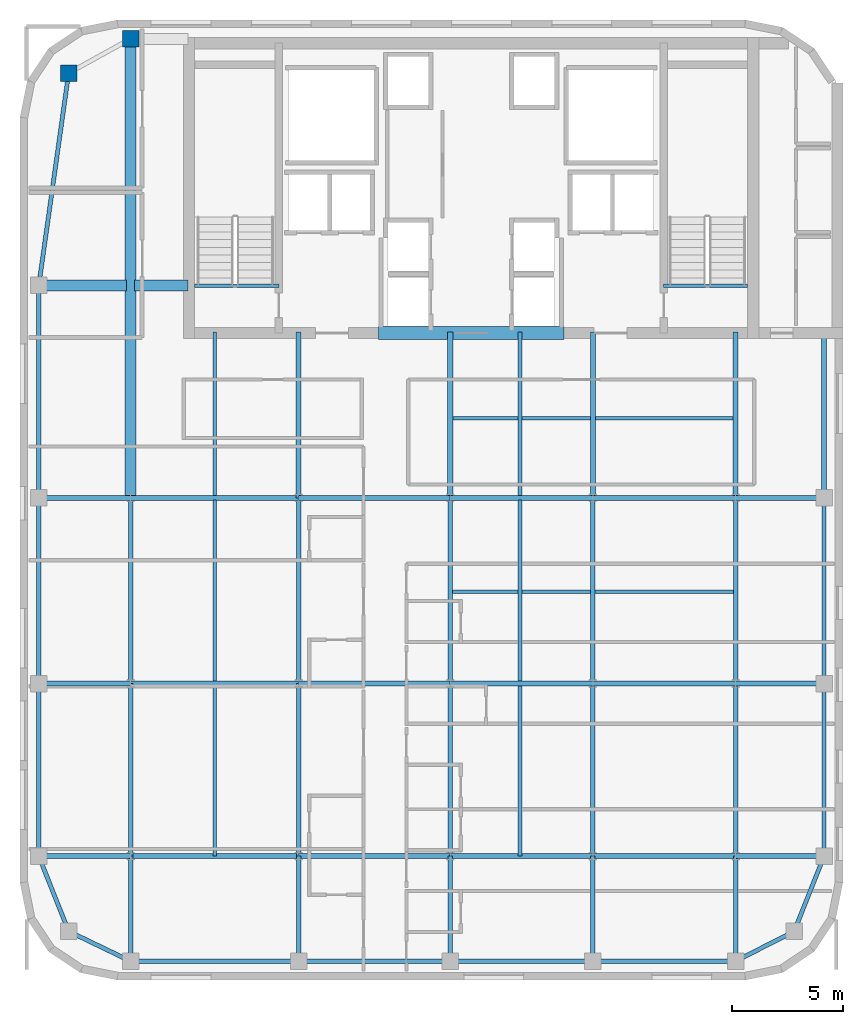
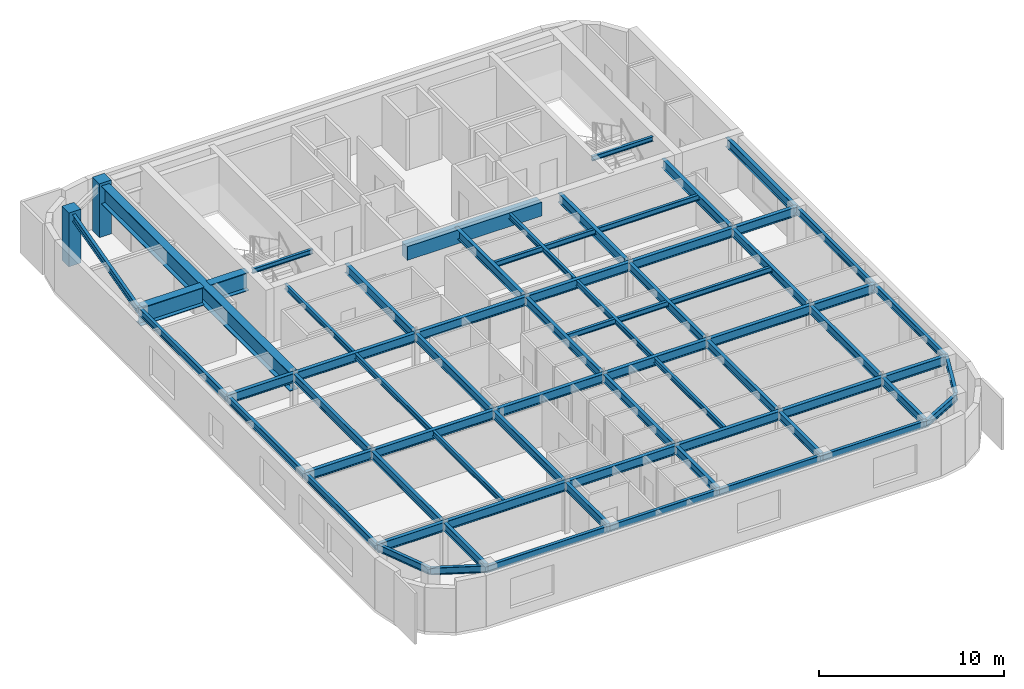
# One storey, part 2 of 9: 66 beams, 2 columns.
"""IFC4 building model written with IfcOpenShell, lengths in metres."""

from ifc_helpers import new_model, si_unit, direction, frame, origin, origin_2d, place, context, subcontext, project, spatial, rectangle, i_section, extrude, source, transform, mapped, material, material_profile, profile_set, type_object, type_shapes, element, save


model = new_model("IFC4")

# Units and contexts
model_context = context("Model", 3, precision=1e-05, world=origin(), true_north=direction((0.0, 1.0)))
body_context = subcontext(model_context, "Body", "Model", "MODEL_VIEW")
ifc_project = project(units=[si_unit("LENGTHUNIT", "METRE"), si_unit("AREAUNIT", "SQUARE_METRE"), si_unit("VOLUMEUNIT", "CUBIC_METRE"), si_unit("PLANEANGLEUNIT", "RADIAN"), si_unit("MASSUNIT", "GRAM", prefix="KILO")], contexts=[model_context])

# Site, building, storey
site_placement = place(None, origin())
site = spatial("IfcSite", under=ifc_project, at=site_placement, CompositionType="ELEMENT")
building_placement = place(site_placement, origin())
building = spatial("IfcBuilding", under=site, at=building_placement, Name="Tolvann Quenvar Hotel", CompositionType="ELEMENT")
storey_placement = place(building_placement, frame((0.0, 0.0, 209.699951171875)))
storey = spatial("IfcBuildingStorey", under=building, at=storey_placement, Name="L55", CompositionType="ELEMENT", Elevation=209.699951171875)

# Columns
ifc_material_1 = material(Name="Concrete N50 (50 MPa)", Category="concrete")
ifc_material_profile_1 = material_profile(ifc_material_1, rectangle(XDim=0.75, YDim=0.75, at=origin_2d()), Name="RC750x750")
ifc_profile_set_1 = profile_set([ifc_material_profile_1], Name="Concrete N50 (50 MPa)")
column_type = type_object("IfcColumnType", Name="COL_RC750", PredefinedType="COLUMN", material=ifc_profile_set_1)
shared_shape_1 = source(origin(), body_context, "Body", "SweptSolid", [
    extrude(rectangle(XDim=0.75, YDim=0.75, at=origin_2d()), origin(), (0.0, 0.0, 1.0), 3.550048828125),
])
type_shapes(column_type, [shared_shape_1])
for number, where, z_axis, x_axis, name in (
    (1, (4.800048828125, 43.60009765625, 0.0), (0.0, 0.0, 1.0), (1.0, 0.0, 0.0), "Column BN (L55)"),
    (2, (7.60009765625, 45.14990234375, 0.0), (0.0, 0.0, 1.0), (1.0, 0.0, 0.0), "Column CN (L55)"),
):
    element("IfcColumn", number, at=place(storey_placement, frame(where, z_axis=z_axis, x_axis=x_axis)), inside=storey, type_object=column_type, Name=name, PredefinedType="COLUMN", context=body_context, shape_type="MappedRepresentation", body=[
        mapped(shared_shape_1, transform((0.0, 0.0, 0.0), x_axis=(1.0, 0.0, 0.0), y_axis=(0.0, 1.0, 0.0), z_axis=(0.0, 0.0, 1.0), scale=1.0)),
    ])

# Beams
ifc_material_profile_2 = material_profile(ifc_material_1, rectangle(XDim=0.60009765625, YDim=0.89990234375, at=origin_2d()), Name="RC600x900")
ifc_profile_set_2 = profile_set([ifc_material_profile_2], Name="Concrete N50 (50 MPa)")
beam_type_1 = type_object("IfcBeamType", Name="BM_LINT_RC600x900", PredefinedType="LINTEL", material=ifc_profile_set_2)
shared_shape_2 = source(origin(), body_context, "Body", "SweptSolid", [
    extrude(rectangle(XDim=0.60009765625, YDim=0.89990234375, at=origin_2d()), origin(), (0.0, 0.0, 1.0), 8.39990234375),
])
type_shapes(beam_type_1, [shared_shape_2])
beam_1_placement = place(storey_placement, frame((18.800048828125, 31.85009765625, 2.920166015625), z_axis=(1.0, 0.0, 0.0), x_axis=(0.0, 1.0, 0.0)))
element("IfcBeam", 3, at=beam_1_placement, inside=storey, type_object=beam_type_1, Name="Core Coupling Lintel Beam (L55)", PredefinedType="LINTEL", context=body_context, shape_type="MappedRepresentation", body=[
    mapped(shared_shape_2, transform((0.0, 0.0, 0.0), x_axis=(1.0, 0.0, 0.0), y_axis=(0.0, 1.0, 0.0), z_axis=(0.0, 0.0, 1.0), scale=1.0)),
])
ifc_material_2 = material(Name="Steel Grade 350", Category="steel")
ifc_material_profile_3 = material_profile(ifc_material_2, i_section(OverallWidth=0.208984375, OverallDepth=0.532958984375, WebThickness=0.01025390625, FlangeThickness=0.015625, FilletRadius=0.013916015625, at=origin_2d()), Name="530UB92")
ifc_profile_set_3 = profile_set([ifc_material_profile_3], Name="Steel Grade 350")
beam_type_2 = type_object("IfcBeamType", Name="BM_GIRD_530UB92", PredefinedType="BEAM", material=ifc_profile_set_3)
shared_shape_3 = source(origin(), body_context, "Body", "SweptSolid", [
    extrude(i_section(OverallWidth=0.208984375, OverallDepth=0.532958984375, WebThickness=0.01025390625, FlangeThickness=0.015625, FilletRadius=0.013916015625, at=origin_2d()), origin(), (0.0, 0.0, 1.0), 7.800048828125),
])
for number, where, z_axis, x_axis, name in (
    (4, (7.60009765625, 8.199951171875, 3.103515625), (0.0, 1.0, 0.0), (-1.0, 0.0, 0.0), "BM-L55-NS-C3-C4"),
    (5, (15.199951171875, 8.199951171875, 3.103515625), (0.0, 1.0, 0.0), (-1.0, 0.0, 0.0), "BM-L55-NS-D3-D4"),
    (6, (22.050048828125, 8.199951171875, 3.103515625), (0.0, 1.0, 0.0), (-1.0, 0.0, 0.0), "BM-L55-NS-E3-E4"),
    (7, (34.949951171875, 8.199951171875, 3.103515625), (0.0, 1.0, 0.0), (-1.0, 0.0, 0.0), "BM-L55-NS-F3-F4"),
    (8, (28.5, 8.199951171875, 3.103515625), (0.0, 1.0, 0.0), (-1.0, 0.0, 0.0), "BM-L55-NS-M3-M4"),
):
    element("IfcBeam", number, at=place(storey_placement, frame(where, z_axis=z_axis, x_axis=x_axis)), inside=storey, type_object=beam_type_2, Name=name, PredefinedType="BEAM", context=body_context, shape_type="MappedRepresentation", body=[
        mapped(shared_shape_3, transform((0.0, 0.0, 0.0), x_axis=(1.0, 0.0, 0.0), y_axis=(0.0, 1.0, 0.0), z_axis=(0.0, 0.0, 1.0), scale=1.0)),
    ])
shared_shape_4 = source(origin(), body_context, "Body", "SweptSolid", [
    extrude(i_section(OverallWidth=0.208984375, OverallDepth=0.532958984375, WebThickness=0.01025390625, FlangeThickness=0.015625, FilletRadius=0.013916015625, at=origin_2d()), origin(), (0.0, 0.0, 1.0), 8.39990234375),
])
for number, where, z_axis, x_axis, name in (
    (9, (7.60009765625, 16.0, 3.103515625), (0.0, 1.0, 0.0), (-1.0, 0.0, 0.0), "BM-L55-NS-C4-C5"),
    (10, (15.199951171875, 16.0, 3.103515625), (0.0, 1.0, 0.0), (-1.0, 0.0, 0.0), "BM-L55-NS-D4-D5"),
    (11, (22.050048828125, 16.0, 3.103515625), (0.0, 1.0, 0.0), (-1.0, 0.0, 0.0), "BM-L55-NS-E4-E5"),
    (12, (34.949951171875, 16.0, 3.103515625), (0.0, 1.0, 0.0), (-1.0, 0.0, 0.0), "BM-L55-NS-F4-F5"),
    (13, (28.5, 16.0, 3.103515625), (0.0, 1.0, 0.0), (-1.0, 0.0, 0.0), "BM-L55-NS-M4-M5"),
):
    element("IfcBeam", number, at=place(storey_placement, frame(where, z_axis=z_axis, x_axis=x_axis)), inside=storey, type_object=beam_type_2, Name=name, PredefinedType="BEAM", context=body_context, shape_type="MappedRepresentation", body=[
        mapped(shared_shape_4, transform((0.0, 0.0, 0.0), x_axis=(1.0, 0.0, 0.0), y_axis=(0.0, 1.0, 0.0), z_axis=(0.0, 0.0, 1.0), scale=1.0)),
    ])
ifc_material_profile_4 = material_profile(ifc_material_2, i_section(OverallWidth=0.5, OverallDepth=1.199951171875, WebThickness=0.01611328125, FlangeThickness=0.0400390625, at=origin_2d()), Name="1200WB455")
ifc_profile_set_4 = profile_set([ifc_material_profile_4], Name="Steel Grade 350")
beam_type_3 = type_object("IfcBeamType", Name="BM_TG_1200WB455", PredefinedType="USERDEFINED", material=ifc_profile_set_4)
shared_shape_5 = source(origin(), body_context, "Body", "SweptSolid", [
    extrude(i_section(OverallWidth=0.5, OverallDepth=1.199951171875, WebThickness=0.01611328125, FlangeThickness=0.0400390625, at=origin_2d()), origin(), (0.0, 0.0, 1.0), 20.75),
])
beam_2_placement = place(storey_placement, frame((7.60009765625, 24.39990234375, 2.77001953125), z_axis=(0.0, 1.0, 0.0), x_axis=(-1.0, 0.0, 0.0)))
element("IfcBeam", 14, at=beam_2_placement, inside=storey, type_object=beam_type_3, Name="BM-L55-FLK-WC", ObjectType="TRANSFER GIRDER", PredefinedType="USERDEFINED", context=body_context, shape_type="MappedRepresentation", body=[
    mapped(shared_shape_5, transform((0.0, 0.0, 0.0), x_axis=(1.0, 0.0, 0.0), y_axis=(0.0, 1.0, 0.0), z_axis=(0.0, 0.0, 1.0), scale=1.0)),
])
shared_shape_6 = source(origin(), body_context, "Body", "SweptSolid", [
    extrude(i_section(OverallWidth=0.5, OverallDepth=1.199951171875, WebThickness=0.01611328125, FlangeThickness=0.0400390625, at=origin_2d()), origin(), (0.0, 0.0, 1.0), 2.419921875),
])
beam_3_placement = place(storey_placement, frame((7.780029296875, 34.0, 2.77001953125), z_axis=(1.0, 0.0, 0.0), x_axis=(0.0, 1.0, 0.0)))
element("IfcBeam", 15, at=beam_3_placement, inside=storey, type_object=beam_type_3, Name="BM-L55-CTW-MID2", ObjectType="TRANSFER GIRDER", PredefinedType="USERDEFINED", context=body_context, shape_type="MappedRepresentation", body=[
    mapped(shared_shape_6, transform((0.0, 0.0, 0.0), x_axis=(1.0, 0.0, 0.0), y_axis=(0.0, 1.0, 0.0), z_axis=(0.0, 0.0, 1.0), scale=1.0)),
])
ifc_material_profile_5 = material_profile(ifc_material_2, i_section(OverallWidth=0.166015625, OverallDepth=0.306884765625, WebThickness=0.006591796875, FlangeThickness=0.01171875, FilletRadius=0.011474609375, at=origin_2d()), Name="310UB46")
ifc_profile_set_5 = profile_set([ifc_material_profile_5], Name="Steel Grade 350")
beam_type_4 = type_object("IfcBeamType", Name="BM_JOIST_310UB46", PredefinedType="JOIST", material=ifc_profile_set_5)
shared_shape_7 = source(origin(), body_context, "Body", "SweptSolid", [
    extrude(i_section(OverallWidth=0.166015625, OverallDepth=0.306884765625, WebThickness=0.006591796875, FlangeThickness=0.01171875, FilletRadius=0.011474609375, at=origin_2d()), origin(), (0.0, 0.0, 1.0), 3.800048828125),
])
type_shapes(beam_type_4, [shared_shape_7])
for number, where, z_axis, x_axis, name in (
    (16, (10.5, 33.97998046875, 3.216552734375), (1.0, 0.0, 0.0), (0.0, 1.0, 0.0), "BM-HDR-STC1-L56"),
    (17, (31.699951171875, 33.97998046875, 3.216552734375), (1.0, 0.0, 0.0), (0.0, 1.0, 0.0), "BM-HDR-STC2-L56"),
):
    element("IfcBeam", number, at=place(storey_placement, frame(where, z_axis=z_axis, x_axis=x_axis)), inside=storey, type_object=beam_type_4, Name=name, PredefinedType="JOIST", context=body_context, shape_type="MappedRepresentation", body=[
        mapped(shared_shape_7, transform((0.0, 0.0, 0.0), x_axis=(1.0, 0.0, 0.0), y_axis=(0.0, 1.0, 0.0), z_axis=(0.0, 0.0, 1.0), scale=1.0)),
    ])
shared_shape_8 = source(origin(), body_context, "Body", "SweptSolid", [
    extrude(i_section(OverallWidth=0.5, OverallDepth=1.199951171875, WebThickness=0.01611328125, FlangeThickness=0.0400390625, at=origin_2d()), origin(), (0.0, 0.0, 1.0), 3.969970703125),
])
type_shapes(beam_type_3, [shared_shape_5, shared_shape_6, shared_shape_8])
beam_4_placement = place(storey_placement, frame((3.449951171875, 34.0, 2.77001953125), z_axis=(1.0, 0.0, 0.0), x_axis=(0.0, 1.0, 0.0)))
element("IfcBeam", 18, at=beam_4_placement, inside=storey, type_object=beam_type_3, Name="BM-L55-CTW-MID1", ObjectType="TRANSFER GIRDER", PredefinedType="USERDEFINED", context=body_context, shape_type="MappedRepresentation", body=[
    mapped(shared_shape_8, transform((0.0, 0.0, 0.0), x_axis=(1.0, 0.0, 0.0), y_axis=(0.0, 1.0, 0.0), z_axis=(0.0, 0.0, 1.0), scale=1.0)),
])
ifc_material_profile_6 = material_profile(ifc_material_2, i_section(OverallWidth=0.172119140625, OverallDepth=0.35888671875, WebThickness=0.008056640625, FlangeThickness=0.012939453125, FilletRadius=0.011474609375, at=origin_2d()), Name="360UB57")
ifc_profile_set_6 = profile_set([ifc_material_profile_6], Name="Steel Grade 350")
beam_type_5 = type_object("IfcBeamType", Name="BM_JOIST_360UB57", PredefinedType="JOIST", material=ifc_profile_set_6)
shared_shape_9 = source(origin(), body_context, "Body", "SweptSolid", [
    extrude(i_section(OverallWidth=0.172119140625, OverallDepth=0.35888671875, WebThickness=0.008056640625, FlangeThickness=0.012939453125, FilletRadius=0.011474609375, at=origin_2d()), origin(), (0.0, 0.0, 1.0), 12.89990234375),
])
for number, where, z_axis, x_axis, name in (
    (19, (22.050048828125, 20.14990234375, 3.1904296875), (1.0, 0.0, 0.0), (0.0, 1.0, 0.0), "BM-L55-SPINE-20"),
    (20, (22.050048828125, 28.0, 3.1904296875), (1.0, 0.0, 0.0), (0.0, 1.0, 0.0), "BM-L55-SPINE-28"),
):
    element("IfcBeam", number, at=place(storey_placement, frame(where, z_axis=z_axis, x_axis=x_axis)), inside=storey, type_object=beam_type_5, Name=name, PredefinedType="JOIST", context=body_context, shape_type="MappedRepresentation", body=[
        mapped(shared_shape_9, transform((0.0, 0.0, 0.0), x_axis=(1.0, 0.0, 0.0), y_axis=(0.0, 1.0, 0.0), z_axis=(0.0, 0.0, 1.0), scale=1.0)),
    ])
ifc_material_profile_7 = material_profile(ifc_material_2, i_section(OverallWidth=0.22802734375, OverallDepth=0.60205078125, WebThickness=0.010498046875, FlangeThickness=0.014892578125, FilletRadius=0.013916015625, at=origin_2d()), Name="610UB101")
ifc_profile_set_7 = profile_set([ifc_material_profile_7], Name="Steel Grade 350")
beam_type_6 = type_object("IfcBeamType", Name="BM_GIRD_610UB101", PredefinedType="BEAM", material=ifc_profile_set_7)
shared_shape_10 = source(origin(), body_context, "Body", "SweptSolid", [
    extrude(i_section(OverallWidth=0.22802734375, OverallDepth=0.60205078125, WebThickness=0.010498046875, FlangeThickness=0.014892578125, FilletRadius=0.013916015625, at=origin_2d()), origin(), (0.0, 0.0, 1.0), 4.150146484375),
])
for number, where, z_axis, x_axis, name in (
    (21, (3.449951171875, 8.199951171875, 3.069091796875), (1.0, 0.0, 0.0), (0.0, 1.0, 0.0), "BM-L55-EW-3-B3-C3"),
    (22, (3.449951171875, 16.0, 3.069091796875), (1.0, 0.0, 0.0), (0.0, 1.0, 0.0), "BM-L55-EW-4-B4-C4"),
    (23, (3.449951171875, 24.39990234375, 3.069091796875), (1.0, 0.0, 0.0), (0.0, 1.0, 0.0), "BM-L55-EW-5-B5-C5"),
):
    element("IfcBeam", number, at=place(storey_placement, frame(where, z_axis=z_axis, x_axis=x_axis)), inside=storey, type_object=beam_type_6, Name=name, PredefinedType="BEAM", context=body_context, shape_type="MappedRepresentation", body=[
        mapped(shared_shape_10, transform((0.0, 0.0, 0.0), x_axis=(1.0, 0.0, 0.0), y_axis=(0.0, 1.0, 0.0), z_axis=(0.0, 0.0, 1.0), scale=1.0)),
    ])
shared_shape_11 = source(origin(), body_context, "Body", "SweptSolid", [
    extrude(i_section(OverallWidth=0.22802734375, OverallDepth=0.60205078125, WebThickness=0.010498046875, FlangeThickness=0.014892578125, FilletRadius=0.013916015625, at=origin_2d()), origin(), (0.0, 0.0, 1.0), 7.599853515625),
])
for number, where, z_axis, x_axis, name in (
    (24, (7.60009765625, 8.199951171875, 3.069091796875), (1.0, 0.0, 0.0), (0.0, 1.0, 0.0), "BM-L55-EW-3-C3-D3"),
    (25, (7.60009765625, 16.0, 3.069091796875), (1.0, 0.0, 0.0), (0.0, 1.0, 0.0), "BM-L55-EW-4-C4-D4"),
    (26, (7.60009765625, 24.39990234375, 3.069091796875), (1.0, 0.0, 0.0), (0.0, 1.0, 0.0), "BM-L55-EW-5-C5-D5"),
):
    element("IfcBeam", number, at=place(storey_placement, frame(where, z_axis=z_axis, x_axis=x_axis)), inside=storey, type_object=beam_type_6, Name=name, PredefinedType="BEAM", context=body_context, shape_type="MappedRepresentation", body=[
        mapped(shared_shape_11, transform((0.0, 0.0, 0.0), x_axis=(1.0, 0.0, 0.0), y_axis=(0.0, 1.0, 0.0), z_axis=(0.0, 0.0, 1.0), scale=1.0)),
    ])
shared_shape_12 = source(origin(), body_context, "Body", "SweptSolid", [
    extrude(i_section(OverallWidth=0.22802734375, OverallDepth=0.60205078125, WebThickness=0.010498046875, FlangeThickness=0.014892578125, FilletRadius=0.013916015625, at=origin_2d()), origin(), (0.0, 0.0, 1.0), 6.85009765625),
])
for number, where, z_axis, x_axis, name in (
    (27, (15.199951171875, 8.199951171875, 3.069091796875), (1.0, 0.0, 0.0), (0.0, 1.0, 0.0), "BM-L55-EW-3-D3-E3"),
    (28, (15.199951171875, 16.0, 3.069091796875), (1.0, 0.0, 0.0), (0.0, 1.0, 0.0), "BM-L55-EW-4-D4-E4"),
    (29, (15.199951171875, 24.39990234375, 3.069091796875), (1.0, 0.0, 0.0), (0.0, 1.0, 0.0), "BM-L55-EW-5-D5-E5"),
):
    element("IfcBeam", number, at=place(storey_placement, frame(where, z_axis=z_axis, x_axis=x_axis)), inside=storey, type_object=beam_type_6, Name=name, PredefinedType="BEAM", context=body_context, shape_type="MappedRepresentation", body=[
        mapped(shared_shape_12, transform((0.0, 0.0, 0.0), x_axis=(1.0, 0.0, 0.0), y_axis=(0.0, 1.0, 0.0), z_axis=(0.0, 0.0, 1.0), scale=1.0)),
    ])
shared_shape_13 = source(origin(), body_context, "Body", "SweptSolid", [
    extrude(i_section(OverallWidth=0.22802734375, OverallDepth=0.60205078125, WebThickness=0.010498046875, FlangeThickness=0.014892578125, FilletRadius=0.013916015625, at=origin_2d()), origin(), (0.0, 0.0, 1.0), 6.449951171875),
])
for number, where, z_axis, x_axis, name in (
    (30, (22.050048828125, 8.199951171875, 3.069091796875), (1.0, 0.0, 0.0), (0.0, 1.0, 0.0), "BM-L55-EW-3-E3-M3"),
    (31, (28.5, 8.199951171875, 3.069091796875), (1.0, 0.0, 0.0), (0.0, 1.0, 0.0), "BM-L55-EW-3-M3-F3"),
    (32, (22.050048828125, 16.0, 3.069091796875), (1.0, 0.0, 0.0), (0.0, 1.0, 0.0), "BM-L55-EW-4-E4-M4"),
    (33, (28.5, 16.0, 3.069091796875), (1.0, 0.0, 0.0), (0.0, 1.0, 0.0), "BM-L55-EW-4-M4-F4"),
    (34, (22.050048828125, 24.39990234375, 3.069091796875), (1.0, 0.0, 0.0), (0.0, 1.0, 0.0), "BM-L55-EW-5-E5-M5"),
    (35, (28.5, 24.39990234375, 3.069091796875), (1.0, 0.0, 0.0), (0.0, 1.0, 0.0), "BM-L55-EW-5-M5-F5"),
):
    element("IfcBeam", number, at=place(storey_placement, frame(where, z_axis=z_axis, x_axis=x_axis)), inside=storey, type_object=beam_type_6, Name=name, PredefinedType="BEAM", context=body_context, shape_type="MappedRepresentation", body=[
        mapped(shared_shape_13, transform((0.0, 0.0, 0.0), x_axis=(1.0, 0.0, 0.0), y_axis=(0.0, 1.0, 0.0), z_axis=(0.0, 0.0, 1.0), scale=1.0)),
    ])
shared_shape_14 = source(origin(), body_context, "Body", "SweptSolid", [
    extrude(i_section(OverallWidth=0.208984375, OverallDepth=0.532958984375, WebThickness=0.01025390625, FlangeThickness=0.015625, FilletRadius=0.013916015625, at=origin_2d()), origin(), (0.0, 0.0, 1.0), 4.75),
])
type_shapes(beam_type_2, [shared_shape_3, shared_shape_4, shared_shape_14])
for number, where, z_axis, x_axis, name in (
    (36, (7.60009765625, 3.449951171875, 3.103515625), (0.0, 1.0, 0.0), (-1.0, 0.0, 0.0), "BM-L55-NS-C2-C3"),
    (37, (15.199951171875, 3.449951171875, 3.103515625), (0.0, 1.0, 0.0), (-1.0, 0.0, 0.0), "BM-L55-NS-D2-D3"),
    (38, (22.050048828125, 3.449951171875, 3.103515625), (0.0, 1.0, 0.0), (-1.0, 0.0, 0.0), "BM-L55-NS-E2-E3"),
    (39, (34.949951171875, 3.449951171875, 3.103515625), (0.0, 1.0, 0.0), (-1.0, 0.0, 0.0), "BM-L55-NS-F2-F3"),
    (40, (28.5, 3.449951171875, 3.103515625), (0.0, 1.0, 0.0), (-1.0, 0.0, 0.0), "BM-L55-NS-M2-M3"),
):
    element("IfcBeam", number, at=place(storey_placement, frame(where, z_axis=z_axis, x_axis=x_axis)), inside=storey, type_object=beam_type_2, Name=name, PredefinedType="BEAM", context=body_context, shape_type="MappedRepresentation", body=[
        mapped(shared_shape_14, transform((0.0, 0.0, 0.0), x_axis=(1.0, 0.0, 0.0), y_axis=(0.0, 1.0, 0.0), z_axis=(0.0, 0.0, 1.0), scale=1.0)),
    ])
shared_shape_15 = source(origin(), body_context, "Body", "SweptSolid", [
    extrude(i_section(OverallWidth=0.22802734375, OverallDepth=0.60205078125, WebThickness=0.010498046875, FlangeThickness=0.014892578125, FilletRadius=0.013916015625, at=origin_2d()), origin(), (0.0, 0.0, 1.0), 7.5),
])
for number, where, z_axis, x_axis, name in (
    (41, (15.199951171875, 24.39990234375, 3.069091796875), (0.0, 1.0, 0.0), (-1.0, 0.0, 0.0), "BM-L55-CORE-D5"),
    (42, (22.050048828125, 24.39990234375, 3.069091796875), (0.0, 1.0, 0.0), (-1.0, 0.0, 0.0), "BM-L55-CORE-E5"),
    (43, (34.949951171875, 24.39990234375, 3.069091796875), (0.0, 1.0, 0.0), (-1.0, 0.0, 0.0), "BM-L55-CORE-F5"),
    (44, (38.949951171875, 24.39990234375, 3.069091796875), (0.0, 1.0, 0.0), (-1.0, 0.0, 0.0), "BM-L55-CORE-G5"),
    (45, (28.5, 24.39990234375, 3.069091796875), (0.0, 1.0, 0.0), (-1.0, 0.0, 0.0), "BM-L55-CORE-M5"),
):
    element("IfcBeam", number, at=place(storey_placement, frame(where, z_axis=z_axis, x_axis=x_axis)), inside=storey, type_object=beam_type_6, Name=name, PredefinedType="BEAM", context=body_context, shape_type="MappedRepresentation", body=[
        mapped(shared_shape_15, transform((0.0, 0.0, 0.0), x_axis=(1.0, 0.0, 0.0), y_axis=(0.0, 1.0, 0.0), z_axis=(0.0, 0.0, 1.0), scale=1.0)),
    ])
shared_shape_16 = source(origin(), body_context, "Body", "SweptSolid", [
    extrude(i_section(OverallWidth=0.172119140625, OverallDepth=0.35888671875, WebThickness=0.008056640625, FlangeThickness=0.012939453125, FilletRadius=0.011474609375, at=origin_2d()), origin(), (0.0, 0.0, 1.0), 7.692138671875),
])
for number, where, z_axis, x_axis, name in (
    (46, (11.39990234375, 8.199951171875, 3.1904296875), (0.0, 1.0, 0.0), (-1.0, 0.0, 0.0), "BJ-L55-114-82"),
    (47, (25.199951171875, 8.199951171875, 3.1904296875), (0.0, 1.0, 0.0), (-1.0, 0.0, 0.0), "BJ-L55-252-82"),
):
    element("IfcBeam", number, at=place(storey_placement, frame(where, z_axis=z_axis, x_axis=x_axis)), inside=storey, type_object=beam_type_5, Name=name, PredefinedType="JOIST", context=body_context, shape_type="MappedRepresentation", body=[
        mapped(shared_shape_16, transform((0.0, 0.0, 0.0), x_axis=(1.0, 0.0, 0.0), y_axis=(0.0, 1.0, 0.0), z_axis=(0.0, 0.0, 1.0), scale=1.0)),
    ])
shared_shape_17 = source(origin(), body_context, "Body", "SweptSolid", [
    extrude(i_section(OverallWidth=0.172119140625, OverallDepth=0.35888671875, WebThickness=0.008056640625, FlangeThickness=0.012939453125, FilletRadius=0.011474609375, at=origin_2d()), origin(), (0.0, 0.0, 1.0), 8.18408203125),
])
for number, where, z_axis, x_axis, name in (
    (48, (11.39990234375, 16.10791015625, 3.1904296875), (0.0, 1.0, 0.0), (-1.0, 0.0, 0.0), "BJ-L55-114-160"),
    (49, (25.199951171875, 16.10791015625, 3.1904296875), (0.0, 1.0, 0.0), (-1.0, 0.0, 0.0), "BJ-L55-252-160"),
):
    element("IfcBeam", number, at=place(storey_placement, frame(where, z_axis=z_axis, x_axis=x_axis)), inside=storey, type_object=beam_type_5, Name=name, PredefinedType="JOIST", context=body_context, shape_type="MappedRepresentation", body=[
        mapped(shared_shape_17, transform((0.0, 0.0, 0.0), x_axis=(1.0, 0.0, 0.0), y_axis=(0.0, 1.0, 0.0), z_axis=(0.0, 0.0, 1.0), scale=1.0)),
    ])
shared_shape_18 = source(origin(), body_context, "Body", "SweptSolid", [
    extrude(i_section(OverallWidth=0.172119140625, OverallDepth=0.35888671875, WebThickness=0.008056640625, FlangeThickness=0.012939453125, FilletRadius=0.011474609375, at=origin_2d()), origin(), (0.0, 0.0, 1.0), 7.391845703125),
])
type_shapes(beam_type_5, [shared_shape_9, shared_shape_16, shared_shape_17, shared_shape_18])
for number, where, z_axis, x_axis, name in (
    (50, (11.39990234375, 24.508056640625, 3.1904296875), (0.0, 1.0, 0.0), (-1.0, 0.0, 0.0), "BJ-L55-114-244"),
    (51, (25.199951171875, 24.508056640625, 3.1904296875), (0.0, 1.0, 0.0), (-1.0, 0.0, 0.0), "BJ-L55-252-244"),
):
    element("IfcBeam", number, at=place(storey_placement, frame(where, z_axis=z_axis, x_axis=x_axis)), inside=storey, type_object=beam_type_5, Name=name, PredefinedType="JOIST", context=body_context, shape_type="MappedRepresentation", body=[
        mapped(shared_shape_18, transform((0.0, 0.0, 0.0), x_axis=(1.0, 0.0, 0.0), y_axis=(0.0, 1.0, 0.0), z_axis=(0.0, 0.0, 1.0), scale=1.0)),
    ])
ifc_material_profile_8 = material_profile(ifc_material_2, i_section(OverallWidth=0.19091796875, OverallDepth=0.4599609375, WebThickness=0.010009765625, FlangeThickness=0.01611328125, FilletRadius=0.011474609375, at=origin_2d()), Name="460UB82")
ifc_profile_set_8 = profile_set([ifc_material_profile_8], Name="Steel Grade 350")
beam_type_7 = type_object("IfcBeamType", Name="BM_SPAND_460UB82", PredefinedType="SPANDREL", material=ifc_profile_set_8)
shared_shape_19 = source(origin(), body_context, "Body", "SweptSolid", [
    extrude(i_section(OverallWidth=0.19091796875, OverallDepth=0.4599609375, WebThickness=0.010009765625, FlangeThickness=0.01611328125, FilletRadius=0.011474609375, at=origin_2d()), origin(), (0.0, 0.0, 1.0), 3.108642578125),
])
beam_5_placement = place(storey_placement, frame((4.800048828125, 4.800048828125, 3.14013671875), z_axis=(0.900759354066, -0.434318530646, 0.0), x_axis=(0.434318530646, 0.900759354066, 0.0)))
element("IfcBeam", 52, at=beam_5_placement, inside=storey, type_object=beam_type_7, Name="BM-L55-EW-2-B2-C2", PredefinedType="SPANDREL", context=body_context, shape_type="MappedRepresentation", body=[
    mapped(shared_shape_19, transform((0.0, 0.0, 0.0), x_axis=(1.0, 0.0, 0.0), y_axis=(0.0, 1.0, 0.0), z_axis=(0.0, 0.0, 1.0), scale=1.0)),
])
shared_shape_20 = source(origin(), body_context, "Body", "SweptSolid", [
    extrude(i_section(OverallWidth=0.19091796875, OverallDepth=0.4599609375, WebThickness=0.010009765625, FlangeThickness=0.01611328125, FilletRadius=0.011474609375, at=origin_2d()), origin(), (0.0, 0.0, 1.0), 7.599853515625),
])
beam_6_placement = place(storey_placement, frame((7.60009765625, 3.449951171875, 3.14013671875), z_axis=(1.0, 0.0, 0.0), x_axis=(0.0, 1.0, 0.0)))
element("IfcBeam", 53, at=beam_6_placement, inside=storey, type_object=beam_type_7, Name="BM-L55-EW-2-C2-D2", PredefinedType="SPANDREL", context=body_context, shape_type="MappedRepresentation", body=[
    mapped(shared_shape_20, transform((0.0, 0.0, 0.0), x_axis=(1.0, 0.0, 0.0), y_axis=(0.0, 1.0, 0.0), z_axis=(0.0, 0.0, 1.0), scale=1.0)),
])
shared_shape_21 = source(origin(), body_context, "Body", "SweptSolid", [
    extrude(i_section(OverallWidth=0.19091796875, OverallDepth=0.4599609375, WebThickness=0.010009765625, FlangeThickness=0.01611328125, FilletRadius=0.011474609375, at=origin_2d()), origin(), (0.0, 0.0, 1.0), 6.85009765625),
])
beam_7_placement = place(storey_placement, frame((15.199951171875, 3.449951171875, 3.14013671875), z_axis=(1.0, 0.0, 0.0), x_axis=(0.0, 1.0, 0.0)))
element("IfcBeam", 54, at=beam_7_placement, inside=storey, type_object=beam_type_7, Name="BM-L55-EW-2-D2-E2", PredefinedType="SPANDREL", context=body_context, shape_type="MappedRepresentation", body=[
    mapped(shared_shape_21, transform((0.0, 0.0, 0.0), x_axis=(1.0, 0.0, 0.0), y_axis=(0.0, 1.0, 0.0), z_axis=(0.0, 0.0, 1.0), scale=1.0)),
])
shared_shape_22 = source(origin(), body_context, "Body", "SweptSolid", [
    extrude(i_section(OverallWidth=0.19091796875, OverallDepth=0.4599609375, WebThickness=0.010009765625, FlangeThickness=0.01611328125, FilletRadius=0.011474609375, at=origin_2d()), origin(), (0.0, 0.0, 1.0), 6.449951171875),
])
for number, where, z_axis, x_axis, name in (
    (55, (22.050048828125, 3.449951171875, 3.14013671875), (1.0, 0.0, 0.0), (0.0, 1.0, 0.0), "BM-L55-EW-2-E2-M2"),
    (56, (28.5, 3.449951171875, 3.14013671875), (1.0, 0.0, 0.0), (0.0, 1.0, 0.0), "BM-L55-EW-2-M2-F2"),
):
    element("IfcBeam", number, at=place(storey_placement, frame(where, z_axis=z_axis, x_axis=x_axis)), inside=storey, type_object=beam_type_7, Name=name, PredefinedType="SPANDREL", context=body_context, shape_type="MappedRepresentation", body=[
        mapped(shared_shape_22, transform((0.0, 0.0, 0.0), x_axis=(1.0, 0.0, 0.0), y_axis=(0.0, 1.0, 0.0), z_axis=(0.0, 0.0, 1.0), scale=1.0)),
    ])
shared_shape_23 = source(origin(), body_context, "Body", "SweptSolid", [
    extrude(i_section(OverallWidth=0.19091796875, OverallDepth=0.4599609375, WebThickness=0.010009765625, FlangeThickness=0.01611328125, FilletRadius=0.011474609375, at=origin_2d()), origin(), (0.0, 0.0, 1.0), 2.97412109375),
])
beam_8_placement = place(storey_placement, frame((34.949951171875, 3.449951171875, 3.14013671875), z_axis=(0.891036364695, 0.453931929688, 0.0), x_axis=(-0.453931929688, 0.891036364695, 0.0)))
element("IfcBeam", 57, at=beam_8_placement, inside=storey, type_object=beam_type_7, Name="BM-L55-EW-2-F2-G2", PredefinedType="SPANDREL", context=body_context, shape_type="MappedRepresentation", body=[
    mapped(shared_shape_23, transform((0.0, 0.0, 0.0), x_axis=(1.0, 0.0, 0.0), y_axis=(0.0, 1.0, 0.0), z_axis=(0.0, 0.0, 1.0), scale=1.0)),
])
shared_shape_24 = source(origin(), body_context, "Body", "SweptSolid", [
    extrude(i_section(OverallWidth=0.22802734375, OverallDepth=0.60205078125, WebThickness=0.010498046875, FlangeThickness=0.014892578125, FilletRadius=0.013916015625, at=origin_2d()), origin(), (0.0, 0.0, 1.0), 4.0),
])
type_shapes(beam_type_6, [shared_shape_10, shared_shape_11, shared_shape_12, shared_shape_13, shared_shape_15, shared_shape_24])
for number, where, z_axis, x_axis, name in (
    (58, (34.949951171875, 8.199951171875, 3.069091796875), (1.0, 0.0, 0.0), (0.0, 1.0, 0.0), "BM-L55-EW-3-F3-G3"),
    (59, (34.949951171875, 16.0, 3.069091796875), (1.0, 0.0, 0.0), (0.0, 1.0, 0.0), "BM-L55-EW-4-F4-G4"),
    (60, (34.949951171875, 24.39990234375, 3.069091796875), (1.0, 0.0, 0.0), (0.0, 1.0, 0.0), "BM-L55-EW-5-F5-G5"),
):
    element("IfcBeam", number, at=place(storey_placement, frame(where, z_axis=z_axis, x_axis=x_axis)), inside=storey, type_object=beam_type_6, Name=name, PredefinedType="BEAM", context=body_context, shape_type="MappedRepresentation", body=[
        mapped(shared_shape_24, transform((0.0, 0.0, 0.0), x_axis=(1.0, 0.0, 0.0), y_axis=(0.0, 1.0, 0.0), z_axis=(0.0, 0.0, 1.0), scale=1.0)),
    ])
shared_shape_25 = source(origin(), body_context, "Body", "SweptSolid", [
    extrude(i_section(OverallWidth=0.19091796875, OverallDepth=0.4599609375, WebThickness=0.010009765625, FlangeThickness=0.01611328125, FilletRadius=0.011474609375, at=origin_2d()), origin(), (0.0, 0.0, 1.0), 3.658203125),
])
beam_9_placement = place(storey_placement, frame((4.800048828125, 4.800048828125, 3.14013671875), z_axis=(-0.369065163807, 0.929403521009, 0.0), x_axis=(-0.929403521009, -0.369065163807, 0.0)))
element("IfcBeam", 61, at=beam_9_placement, inside=storey, type_object=beam_type_7, Name="BM-L55-NS-B2-B3", PredefinedType="SPANDREL", context=body_context, shape_type="MappedRepresentation", body=[
    mapped(shared_shape_25, transform((0.0, 0.0, 0.0), x_axis=(1.0, 0.0, 0.0), y_axis=(0.0, 1.0, 0.0), z_axis=(0.0, 0.0, 1.0), scale=1.0)),
])
shared_shape_26 = source(origin(), body_context, "Body", "SweptSolid", [
    extrude(i_section(OverallWidth=0.19091796875, OverallDepth=0.4599609375, WebThickness=0.010009765625, FlangeThickness=0.01611328125, FilletRadius=0.011474609375, at=origin_2d()), origin(), (0.0, 0.0, 1.0), 7.800048828125),
])
for number, where, z_axis, x_axis, name in (
    (62, (3.449951171875, 8.199951171875, 3.14013671875), (0.0, 1.0, 0.0), (-1.0, 0.0, 0.0), "BM-L55-NS-B3-B4"),
    (63, (38.949951171875, 8.199951171875, 3.14013671875), (0.0, 1.0, 0.0), (-1.0, 0.0, 0.0), "BM-L55-NS-G3-G4"),
):
    element("IfcBeam", number, at=place(storey_placement, frame(where, z_axis=z_axis, x_axis=x_axis)), inside=storey, type_object=beam_type_7, Name=name, PredefinedType="SPANDREL", context=body_context, shape_type="MappedRepresentation", body=[
        mapped(shared_shape_26, transform((0.0, 0.0, 0.0), x_axis=(1.0, 0.0, 0.0), y_axis=(0.0, 1.0, 0.0), z_axis=(0.0, 0.0, 1.0), scale=1.0)),
    ])
shared_shape_27 = source(origin(), body_context, "Body", "SweptSolid", [
    extrude(i_section(OverallWidth=0.19091796875, OverallDepth=0.4599609375, WebThickness=0.010009765625, FlangeThickness=0.01611328125, FilletRadius=0.011474609375, at=origin_2d()), origin(), (0.0, 0.0, 1.0), 8.39990234375),
])
for number, where, z_axis, x_axis, name in (
    (64, (3.449951171875, 16.0, 3.14013671875), (0.0, 1.0, 0.0), (-1.0, 0.0, 0.0), "BM-L55-NS-B4-B5"),
    (65, (38.949951171875, 16.0, 3.14013671875), (0.0, 1.0, 0.0), (-1.0, 0.0, 0.0), "BM-L55-NS-G4-G5"),
):
    element("IfcBeam", number, at=place(storey_placement, frame(where, z_axis=z_axis, x_axis=x_axis)), inside=storey, type_object=beam_type_7, Name=name, PredefinedType="SPANDREL", context=body_context, shape_type="MappedRepresentation", body=[
        mapped(shared_shape_27, transform((0.0, 0.0, 0.0), x_axis=(1.0, 0.0, 0.0), y_axis=(0.0, 1.0, 0.0), z_axis=(0.0, 0.0, 1.0), scale=1.0)),
    ])
shared_shape_28 = source(origin(), body_context, "Body", "SweptSolid", [
    extrude(i_section(OverallWidth=0.19091796875, OverallDepth=0.4599609375, WebThickness=0.010009765625, FlangeThickness=0.01611328125, FilletRadius=0.011474609375, at=origin_2d()), origin(), (0.0, 0.0, 1.0), 3.657958984375),
])
beam_10_placement = place(storey_placement, frame((37.60009765625, 4.800048828125, 3.14013671875), z_axis=(0.369007513371, 0.929426411867, 0.0), x_axis=(-0.929426411867, 0.369007513371, 0.0)))
element("IfcBeam", 66, at=beam_10_placement, inside=storey, type_object=beam_type_7, Name="BM-L55-NS-G2-G3", PredefinedType="SPANDREL", context=body_context, shape_type="MappedRepresentation", body=[
    mapped(shared_shape_28, transform((0.0, 0.0, 0.0), x_axis=(1.0, 0.0, 0.0), y_axis=(0.0, 1.0, 0.0), z_axis=(0.0, 0.0, 1.0), scale=1.0)),
])
shared_shape_29 = source(origin(), body_context, "Body", "SweptSolid", [
    extrude(i_section(OverallWidth=0.19091796875, OverallDepth=0.4599609375, WebThickness=0.010009765625, FlangeThickness=0.01611328125, FilletRadius=0.011474609375, at=origin_2d()), origin(), (0.0, 0.0, 1.0), 9.60009765625),
])
beam_11_placement = place(storey_placement, frame((3.449951171875, 24.39990234375, 3.14013671875), z_axis=(0.0, 1.0, 0.0), x_axis=(-1.0, 0.0, 0.0)))
element("IfcBeam", 67, at=beam_11_placement, inside=storey, type_object=beam_type_7, Name="BM-L55-FLK-W1", PredefinedType="SPANDREL", context=body_context, shape_type="MappedRepresentation", body=[
    mapped(shared_shape_29, transform((0.0, 0.0, 0.0), x_axis=(1.0, 0.0, 0.0), y_axis=(0.0, 1.0, 0.0), z_axis=(0.0, 0.0, 1.0), scale=1.0)),
])
shared_shape_30 = source(origin(), body_context, "Body", "SweptSolid", [
    extrude(i_section(OverallWidth=0.19091796875, OverallDepth=0.4599609375, WebThickness=0.010009765625, FlangeThickness=0.01611328125, FilletRadius=0.011474609375, at=origin_2d()), origin(), (0.0, 0.0, 1.0), 9.694580078125),
])
type_shapes(beam_type_7, [shared_shape_19, shared_shape_20, shared_shape_21, shared_shape_22, shared_shape_23, shared_shape_25, shared_shape_26, shared_shape_27, shared_shape_28, shared_shape_29, shared_shape_30])
beam_12_placement = place(storey_placement, frame((3.449951171875, 34.0, 3.14013671875), z_axis=(0.139263320262, 0.990255385055, 0.0), x_axis=(-0.990255385055, 0.139263320262, 0.0)))
element("IfcBeam", 68, at=beam_12_placement, inside=storey, type_object=beam_type_7, Name="BM-L55-FLK-W2", PredefinedType="SPANDREL", context=body_context, shape_type="MappedRepresentation", body=[
    mapped(shared_shape_30, transform((0.0, 0.0, 0.0), x_axis=(1.0, 0.0, 0.0), y_axis=(0.0, 1.0, 0.0), z_axis=(0.0, 0.0, 1.0), scale=1.0)),
])

save(model, "model.ifc")
